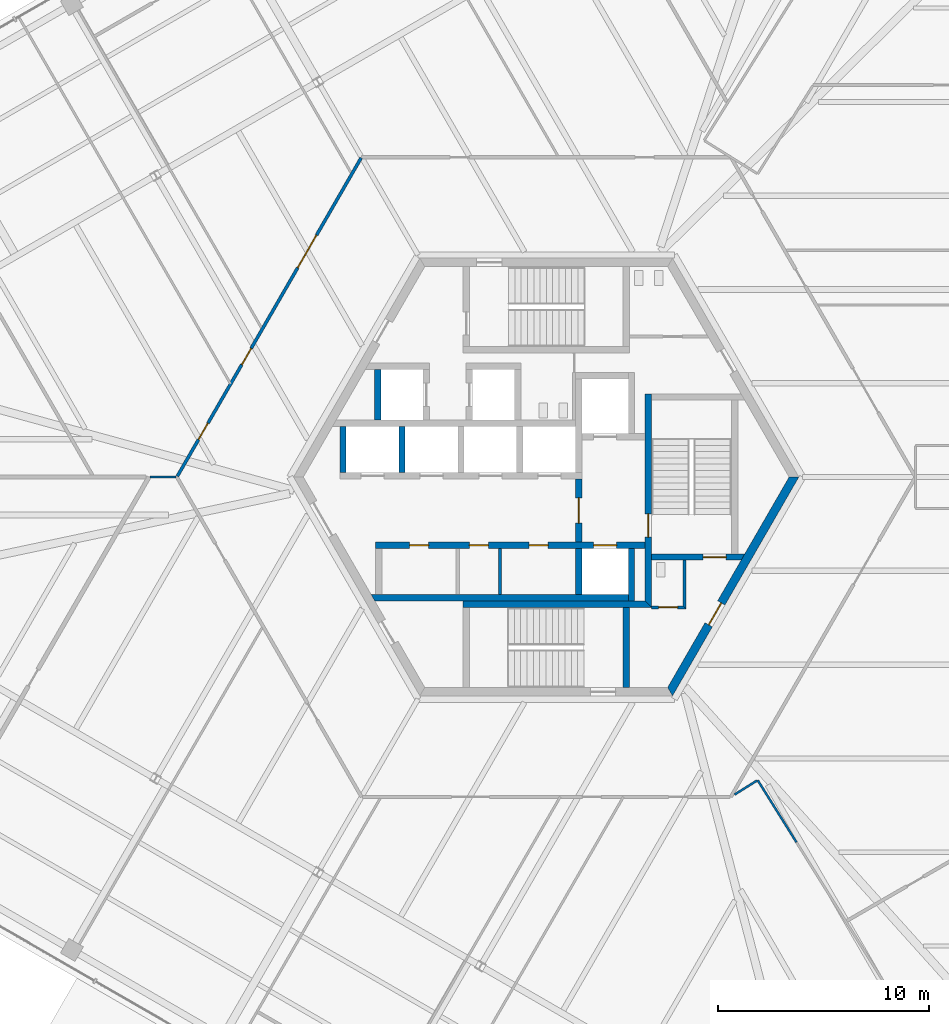
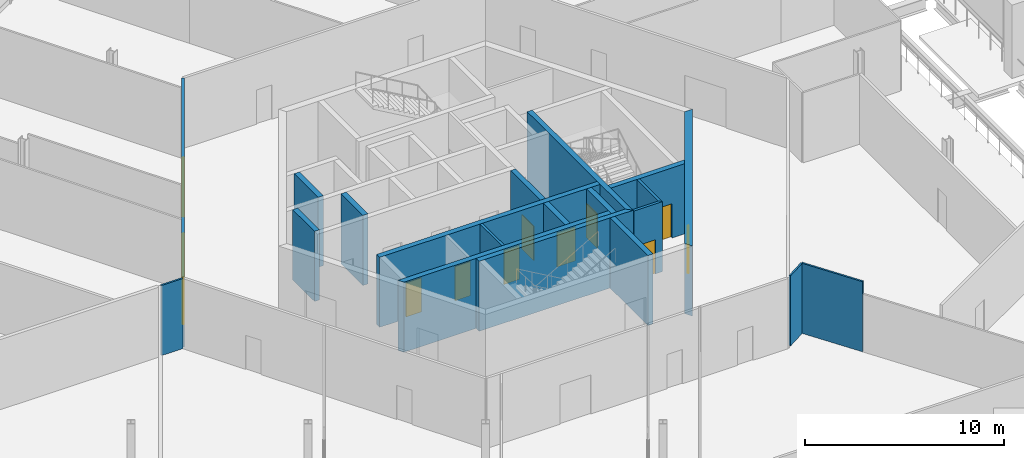
# One storey, part 20 of 27: 20 walls, 12 doors, 12 openings.
"""IFC4 building model written with IfcOpenShell, lengths in metres."""

from ifc_helpers import new_model, si_unit, direction, frame, frame_2d, origin, place, context, subcontext, project, spatial, polyline, rectangle, outline, extrude, source, transform, mapped, material, layer, layer_set, type_object, element, fill, save


model = new_model("IFC4")

# Units and contexts
model_context = context("Model", 3, precision=1e-05, world=origin(), true_north=direction((0.0, 1.0)))
body_context = subcontext(model_context, "Body", "Model", "MODEL_VIEW")
ifc_project = project(units=[si_unit("LENGTHUNIT", "METRE"), si_unit("AREAUNIT", "SQUARE_METRE"), si_unit("VOLUMEUNIT", "CUBIC_METRE"), si_unit("PLANEANGLEUNIT", "RADIAN"), si_unit("MASSUNIT", "GRAM", prefix="KILO")], contexts=[model_context])

# Site, building, storey
site_placement = place(None, origin())
site = spatial("IfcSite", under=ifc_project, at=site_placement, CompositionType="ELEMENT")
building_placement = place(site_placement, origin())
building = spatial("IfcBuilding", under=site, at=building_placement, Name="Triune Harvest Tower", CompositionType="ELEMENT")
storey_placement = place(building_placement, frame((0.0, 0.0, 7.0)))
storey = spatial("IfcBuildingStorey", under=building, at=storey_placement, Name="L01", CompositionType="ELEMENT", Elevation=7.0)

# Wall, openings, doors
ifc_material_1 = material(Name="Gypsum board on steel studs", Category="steel")
ifc_layer_1 = layer(ifc_material_1, 0.14990234375)
ifc_layer_set_1 = layer_set([ifc_layer_1], Name="Gypsum board on steel studs")
wall_type_1 = type_object("IfcWallType", Name="Fire Partition 150 mm", PredefinedType="PARTITIONING", material=ifc_layer_set_1)
wall_1_placement = place(storey_placement, frame((-17.517578125, 0.043701171875, 0.0), z_axis=(0.0, 0.0, 1.0), x_axis=(0.500011872673, 0.866018548985, 0.0)))
wall_1 = element("IfcWall", 1, at=wall_1_placement, inside=storey, type_object=wall_type_1, Name="Partition L01 059", PredefinedType="PARTITIONING", context=body_context, shape_type="SweptSolid", body=[
    extrude(rectangle(XDim=17.45166015625, YDim=0.14990234375, at=frame_2d((8.725830078125, 0.0))), origin(), (0.0, 0.0, 1.0), 4.300048828125),
])
opening_1_placement = place(wall_1_placement, frame((11.41650390625, 0.0, 0.0)))
opening_1 = element("IfcOpeningElement", 2, at=opening_1_placement, cuts=wall_1, Name="Opening L01-013", PredefinedType="OPENING", context=body_context, shape_type="SweptSolid", body=[
    extrude(rectangle(XDim=1.800048828125, YDim=2.39990234375, at=frame_2d((0.89990234375, 1.199951171875))), frame((0.0, 0.0849609375, 0.0), z_axis=(0.0, -1.0, 0.0), x_axis=(1.0, 0.0, 0.0)), (0.0, 0.0, 1.0), 0.169921875),
])
opening_2_placement = place(wall_1_placement, frame((2.00634765625, 0.0, 0.0)))
opening_2 = element("IfcOpeningElement", 3, at=opening_2_placement, cuts=wall_1, Name="Opening L01-023", PredefinedType="OPENING", context=body_context, shape_type="SweptSolid", body=[
    extrude(rectangle(XDim=0.89990234375, YDim=2.10009765625, at=frame_2d((0.449951171875, 1.050048828125))), frame((0.0, 0.0849609375, 0.0), z_axis=(0.0, -1.0, 0.0), x_axis=(1.0, 0.0, 0.0)), (0.0, 0.0, 1.0), 0.169921875),
])
opening_3_placement = place(wall_1_placement, frame((6.1083984375, 0.0, 0.0)))
opening_3 = element("IfcOpeningElement", 4, at=opening_3_placement, cuts=wall_1, Name="Opening L01-024", PredefinedType="OPENING", context=body_context, shape_type="SweptSolid", body=[
    extrude(rectangle(XDim=0.89990234375, YDim=2.10009765625, at=frame_2d((0.449951171875, 1.050048828125))), frame((0.0, 0.0849609375, 0.0), z_axis=(0.0, -1.0, 0.0), x_axis=(1.0, 0.0, 0.0)), (0.0, 0.0, 1.0), 0.169921875),
])
ifc_material_2 = material(Name="Timber and steel door set", Category="steel")
door_type_1 = type_object("IfcDoorType", Name="Double leaf door FD30 1800 x 2400", OperationType="DOUBLE_DOOR_SINGLE_SWING", PredefinedType="DOOR", material=ifc_material_2)
door_1_placement = place(opening_1_placement, origin())
door_1 = element("IfcDoor", 5, at=door_1_placement, inside=storey, type_object=door_type_1, Name="Door L01-013 Market Hall 01.14", OperationType="DOUBLE_DOOR_SINGLE_SWING", OverallHeight=2.39990234375, OverallWidth=1.800048828125, PredefinedType="DOOR", context=body_context, shape_type="SweptSolid", body=[
    extrude(rectangle(XDim=1.800048828125, YDim=2.39990234375, at=frame_2d((0.89990234375, 1.199951171875))), frame((0.0, 0.02490234375, 0.0), z_axis=(0.0, -1.0, 0.0), x_axis=(1.0, 0.0, 0.0)), (0.0, 0.0, 1.0), 0.050048828125),
])
fill(opening_1, door_1)
ifc_material_3 = material(Name="Timber and steel door set", Category="steel")
door_type_2 = type_object("IfcDoorType", Name="Single leaf door FD30 left hand 900 x 2100", OperationType="SINGLE_SWING_LEFT", PredefinedType="DOOR", material=ifc_material_3)
door_2_placement = place(opening_2_placement, origin())
door_2 = element("IfcDoor", 6, at=door_2_placement, inside=storey, type_object=door_type_2, Name="Door L01-023 Dry Store Room 01.24", OperationType="SINGLE_SWING_LEFT", OverallHeight=2.10009765625, OverallWidth=0.89990234375, PredefinedType="DOOR", context=body_context, shape_type="SweptSolid", body=[
    extrude(rectangle(XDim=0.89990234375, YDim=2.10009765625, at=frame_2d((0.449951171875, 1.050048828125))), frame((0.0, 0.02490234375, 0.0), z_axis=(0.0, -1.0, 0.0), x_axis=(1.0, 0.0, 0.0)), (0.0, 0.0, 1.0), 0.050048828125),
])
fill(opening_2, door_2)
door_3_placement = place(opening_3_placement, origin())
door_3 = element("IfcDoor", 7, at=door_3_placement, inside=storey, type_object=door_type_2, Name="Door L01-024 Dry Store Room 01.25", OperationType="SINGLE_SWING_LEFT", OverallHeight=2.10009765625, OverallWidth=0.89990234375, PredefinedType="DOOR", context=body_context, shape_type="SweptSolid", body=[
    extrude(rectangle(XDim=0.89990234375, YDim=2.10009765625, at=frame_2d((0.449951171875, 1.050048828125))), frame((0.0, 0.02490234375, 0.0), z_axis=(0.0, -1.0, 0.0), x_axis=(1.0, 0.0, 0.0)), (0.0, 0.0, 1.0), 0.050048828125),
])
fill(opening_3, door_3)

# Walls
ifc_material_4 = material(Name="Gypsum board on steel studs", Category="steel")
ifc_layer_2 = layer(ifc_material_4, 0.10009765625)
ifc_layer_set_2 = layer_set([ifc_layer_2], Name="Gypsum board on steel studs")
wall_type_2 = type_object("IfcWallType", Name="Partition 100 mm", PredefinedType="PARTITIONING", material=ifc_layer_set_2)
wall_2_placement = place(storey_placement, frame((10.04345703125, -14.397705078125, 0.0), z_axis=(0.0, 0.0, 1.0), x_axis=(0.529778164717, -0.8481362486, 0.0)))
element("IfcWall", 8, at=wall_2_placement, inside=storey, type_object=wall_type_2, Name="Partition L01 015", PredefinedType="PARTITIONING", context=body_context, shape_type="SweptSolid", body=[
    extrude(rectangle(XDim=3.479248046875, YDim=0.10009765625, at=frame_2d((1.73974609375, 0.0))), origin(), (0.0, 0.0, 1.0), 4.300048828125),
])
wall_3_placement = place(storey_placement, frame((-18.827880859375, 0.0, 0.0), z_axis=(0.0, 0.0, 1.0), x_axis=(1.0, 0.0, 0.0)))
element("IfcWall", 9, at=wall_3_placement, inside=storey, type_object=wall_type_2, Name="Partition L01 034", PredefinedType="PARTITIONING", context=body_context, shape_type="SweptSolid", body=[
    extrude(rectangle(XDim=1.245361328125, YDim=0.10009765625, at=frame_2d((0.62255859375, 0.0))), origin(), (0.0, 0.0, 1.0), 4.300048828125),
])
wall_4_placement = place(storey_placement, frame((8.949462890625, -15.0810546875, 0.0), z_axis=(0.0, 0.0, 1.0), x_axis=(0.848139792609, 0.529772490974, 0.0)))
element("IfcWall", 10, at=wall_4_placement, inside=storey, type_object=wall_type_2, Name="Partition L01 049", PredefinedType="PARTITIONING", context=body_context, shape_type="SweptSolid", body=[
    extrude(rectangle(XDim=1.260009765625, YDim=0.10009765625, at=frame_2d((0.6298828125, 0.0))), origin(), (0.0, 0.0, 1.0), 4.300048828125),
])

# Wall, opening, door
ifc_material_5 = material(Name="Concrete 70 MPa", Category="concrete")
ifc_layer_3 = layer(ifc_material_5, 0.39990234375)
ifc_layer_set_3 = layer_set([ifc_layer_3], Name="Concrete 70 MPa")
wall_type_3 = type_object("IfcWallType", Name="Core wall 400", PredefinedType="SHEAR", material=ifc_layer_set_3)
shared_shape_1 = source(origin(), body_context, "Body", "SweptSolid", [
    extrude(outline(polyline([(-0.115478515625, -0.199951171875), (11.884521484375, -0.199951171875), (11.653564453125, 0.199951171875), (0.115478515625, 0.199951171875), (-0.115478515625, -0.199951171875)])), origin(), (0.0, 0.0, 1.0), 4.300048828125),
])
wall_5_placement = place(storey_placement, frame((5.884521484375, -10.1923828125, 0.0), z_axis=(0.0, 0.0, 1.0), x_axis=(0.499996592174, 0.866027371285, 0.0)))
wall_5 = element("IfcWall", 11, at=wall_5_placement, inside=storey, type_object=wall_type_3, Name="Hexagon 5 wall", PredefinedType="SHEAR", context=body_context, shape_type="MappedRepresentation", body=[
    mapped(shared_shape_1, transform((0.0, 0.0, 0.0), scale=1.0)),
])
opening_4_placement = place(wall_5_placement, frame((3.66455078125, 0.0, 0.0)))
opening_4 = element("IfcOpeningElement", 12, at=opening_4_placement, cuts=wall_5, Name="Opening CD-DP", PredefinedType="OPENING", context=body_context, shape_type="SweptSolid", body=[
    extrude(rectangle(XDim=1.199951171875, YDim=2.10009765625, at=frame_2d((0.60009765625, 1.050048828125))), frame((0.0, 0.2099609375, 0.0), z_axis=(0.0, -1.0, 0.0), x_axis=(1.0, 0.0, 0.0)), (0.0, 0.0, 1.0), 0.419921875),
])
ifc_material_6 = material(Name="Steel S235", Category="steel")
door_type_3 = type_object("IfcDoorType", Name="Stair door 1200 FD120", OperationType="SINGLE_SWING_LEFT", PredefinedType="DOOR", material=ifc_material_6)
door_4_placement = place(opening_4_placement, frame((1.199951171875, 0.0, 0.0), z_axis=(0.0, 0.0, 1.0), x_axis=(-1.0, 0.0, 0.0)))
door_4 = element("IfcDoor", 13, at=door_4_placement, inside=storey, type_object=door_type_3, Name="Door CD-DP", OperationType="SINGLE_SWING_RIGHT", OverallHeight=2.10009765625, OverallWidth=1.199951171875, PredefinedType="DOOR", context=body_context, shape_type="SweptSolid", body=[
    extrude(rectangle(XDim=1.199951171875, YDim=2.10009765625, at=frame_2d((0.60009765625, 1.050048828125))), frame((0.0, 0.02490234375, 0.0), z_axis=(0.0, -1.0, 0.0), x_axis=(1.0, 0.0, 0.0)), (0.0, 0.0, 1.0), 0.050048828125),
])
fill(opening_4, door_4)

# Wall
ifc_material_7 = material(Name="Concrete 70 MPa", Category="concrete")
ifc_layer_4 = layer(ifc_material_7, 0.300048828125)
ifc_layer_set_4 = layer_set([ifc_layer_4], Name="Concrete 70 MPa")
wall_type_4 = type_object("IfcWallType", Name="Core wall 300", PredefinedType="SHEAR", material=ifc_layer_set_4)
shared_shape_2 = source(origin(), body_context, "Body", "SweptSolid", [
    extrude(rectangle(XDim=2.5, YDim=0.300048828125, at=frame_2d((1.25, 0.0))), origin(), (0.0, 0.0, 1.0), 4.300048828125),
])
wall_6_placement = place(storey_placement, frame((4.050048828125, -5.889892578125, 0.0), z_axis=(0.0, 0.0, 1.0), x_axis=(0.0, 1.0, 0.0)))
element("IfcWall", 14, at=wall_6_placement, inside=storey, type_object=wall_type_4, Name="Ff2 east wall", PredefinedType="SHEAR", context=body_context, shape_type="MappedRepresentation", body=[
    mapped(shared_shape_2, transform((0.0, 0.0, 0.0), scale=1.0)),
])

# Wall, opening, door
shared_shape_3 = source(origin(), body_context, "Body", "SweptSolid", [
    extrude(rectangle(XDim=3.0, YDim=0.300048828125, at=frame_2d((1.5, 0.0))), origin(), (0.0, 0.0, 1.0), 4.300048828125),
])
wall_7_placement = place(storey_placement, frame((1.550048828125, -3.090087890625, 0.0), z_axis=(0.0, 0.0, 1.0), x_axis=(0.0, 1.0, 0.0)))
wall_7 = element("IfcWall", 15, at=wall_7_placement, inside=storey, type_object=wall_type_4, Name="Ff lobby west wall", PredefinedType="SHEAR", context=body_context, shape_type="MappedRepresentation", body=[
    mapped(shared_shape_3, transform((0.0, 0.0, 0.0), scale=1.0)),
])
opening_5_placement = place(wall_7_placement, frame((0.89990234375, 0.0, 0.0)))
opening_5 = element("IfcOpeningElement", 16, at=opening_5_placement, cuts=wall_7, Name="Opening CD-FL", PredefinedType="OPENING", context=body_context, shape_type="SweptSolid", body=[
    extrude(rectangle(XDim=1.199951171875, YDim=2.10009765625, at=frame_2d((0.60009765625, 1.050048828125))), frame((0.0, 0.16015625, 0.0), z_axis=(0.0, -1.0, 0.0), x_axis=(1.0, 0.0, 0.0)), (0.0, 0.0, 1.0), 0.320068359375),
])
ifc_material_8 = material(Name="Steel S235", Category="steel")
door_type_4 = type_object("IfcDoorType", Name="Firefighters' lobby door 1200 FD120", OperationType="SINGLE_SWING_LEFT", PredefinedType="DOOR", material=ifc_material_8)
door_5_placement = place(opening_5_placement, frame((1.199951171875, 0.0, 0.0), z_axis=(0.0, 0.0, 1.0), x_axis=(-1.0, 0.0, 0.0)))
door_5 = element("IfcDoor", 17, at=door_5_placement, inside=storey, type_object=door_type_4, Name="Door CD-FL", OperationType="SINGLE_SWING_RIGHT", OverallHeight=2.10009765625, OverallWidth=1.199951171875, PredefinedType="DOOR", context=body_context, shape_type="SweptSolid", body=[
    extrude(rectangle(XDim=1.199951171875, YDim=2.10009765625, at=frame_2d((0.60009765625, 1.050048828125))), frame((0.0, 0.02490234375, 0.0), z_axis=(0.0, -1.0, 0.0), x_axis=(1.0, 0.0, 0.0)), (0.0, 0.0, 1.0), 0.050048828125),
])
fill(opening_5, door_5)

# Wall, openings, doors
shared_shape_4 = source(origin(), body_context, "Body", "SweptSolid", [
    extrude(rectangle(XDim=12.800048828125, YDim=0.300048828125, at=frame_2d((6.39990234375, 0.0))), origin(), (0.0, 0.0, 1.0), 4.300048828125),
])
wall_8_placement = place(storey_placement, frame((-8.10009765625, -3.239990234375, 0.0), z_axis=(0.0, 0.0, 1.0), x_axis=(1.0, 0.0, 0.0)))
wall_8 = element("IfcWall", 18, at=wall_8_placement, inside=storey, type_object=wall_type_4, Name="South front wall", PredefinedType="SHEAR", context=body_context, shape_type="MappedRepresentation", body=[
    mapped(shared_shape_4, transform((0.0, 0.0, 0.0), scale=1.0)),
])
opening_6_placement = place(wall_8_placement, frame((1.612548828125, 0.0, 0.0)))
opening_6 = element("IfcOpeningElement", 19, at=opening_6_placement, cuts=wall_8, Name="Opening CD-RS1", PredefinedType="OPENING", context=body_context, shape_type="SweptSolid", body=[
    extrude(rectangle(XDim=0.89990234375, YDim=2.10009765625, at=frame_2d((0.449951171875, 1.050048828125))), frame((0.0, 0.16015625, 0.0), z_axis=(0.0, -1.0, 0.0), x_axis=(1.0, 0.0, 0.0)), (0.0, 0.0, 1.0), 0.320068359375),
])
opening_7_placement = place(wall_8_placement, frame((4.449951171875, 0.0, 0.0)))
opening_7 = element("IfcOpeningElement", 20, at=opening_7_placement, cuts=wall_8, Name="Opening CD-RS2", PredefinedType="OPENING", context=body_context, shape_type="SweptSolid", body=[
    extrude(rectangle(XDim=0.89990234375, YDim=2.10009765625, at=frame_2d((0.449951171875, 1.050048828125))), frame((0.0, 0.16015625, 0.0), z_axis=(0.0, -1.0, 0.0), x_axis=(1.0, 0.0, 0.0)), (0.0, 0.0, 1.0), 0.320068359375),
])
opening_8_placement = place(wall_8_placement, frame((7.28759765625, 0.0, 0.0)))
opening_8 = element("IfcOpeningElement", 21, at=opening_8_placement, cuts=wall_8, Name="Opening CD-RS3", PredefinedType="OPENING", context=body_context, shape_type="SweptSolid", body=[
    extrude(rectangle(XDim=0.89990234375, YDim=2.10009765625, at=frame_2d((0.449951171875, 1.050048828125))), frame((0.0, 0.16015625, 0.0), z_axis=(0.0, -1.0, 0.0), x_axis=(1.0, 0.0, 0.0)), (0.0, 0.0, 1.0), 0.320068359375),
])
opening_9_placement = place(wall_8_placement, frame((10.35009765625, 0.0, 0.0)))
opening_9 = element("IfcOpeningElement", 22, at=opening_9_placement, cuts=wall_8, Name="Opening LD-FF2-01", PredefinedType="OPENING", context=body_context, shape_type="SweptSolid", body=[
    extrude(rectangle(XDim=1.10009765625, YDim=2.10009765625, at=frame_2d((0.550048828125, 1.050048828125))), frame((0.0, 0.16015625, 0.0), z_axis=(0.0, -1.0, 0.0), x_axis=(1.0, 0.0, 0.0)), (0.0, 0.0, 1.0), 0.320068359375),
])
ifc_material_9 = material(Name="Stainless steel AISI 304", Category="steel")
door_type_5 = type_object("IfcDoorType", Name="Landing door 1100 x 2100", OperationType="DOUBLE_DOOR_SLIDING", PredefinedType="DOOR", material=ifc_material_9)
door_6_placement = place(opening_9_placement, origin())
door_6 = element("IfcDoor", 23, at=door_6_placement, inside=storey, type_object=door_type_5, Name="Door LD-FF2-01", OperationType="DOUBLE_DOOR_SLIDING", OverallHeight=2.10009765625, OverallWidth=1.10009765625, PredefinedType="DOOR", context=body_context, shape_type="SweptSolid", body=[
    extrude(rectangle(XDim=1.10009765625, YDim=2.10009765625, at=frame_2d((0.550048828125, 1.050048828125))), frame((0.0, 0.02490234375, 0.0), z_axis=(0.0, -1.0, 0.0), x_axis=(1.0, 0.0, 0.0)), (0.0, 0.0, 1.0), 0.050048828125),
])
fill(opening_9, door_6)
ifc_material_10 = material(Name="Steel S235", Category="steel")
door_type_6 = type_object("IfcDoorType", Name="Riser door 900 FD120", OperationType="SINGLE_SWING_LEFT", PredefinedType="DOOR", material=ifc_material_10)
door_7_placement = place(opening_6_placement, origin())
door_7 = element("IfcDoor", 24, at=door_7_placement, inside=storey, type_object=door_type_6, Name="Door CD-RS1", OperationType="SINGLE_SWING_LEFT", OverallHeight=2.10009765625, OverallWidth=0.89990234375, PredefinedType="DOOR", context=body_context, shape_type="SweptSolid", body=[
    extrude(rectangle(XDim=0.89990234375, YDim=2.10009765625, at=frame_2d((0.449951171875, 1.050048828125))), frame((0.0, 0.02490234375, 0.0), z_axis=(0.0, -1.0, 0.0), x_axis=(1.0, 0.0, 0.0)), (0.0, 0.0, 1.0), 0.050048828125),
])
fill(opening_6, door_7)
door_8_placement = place(opening_7_placement, origin())
door_8 = element("IfcDoor", 25, at=door_8_placement, inside=storey, type_object=door_type_6, Name="Door CD-RS2", OperationType="SINGLE_SWING_LEFT", OverallHeight=2.10009765625, OverallWidth=0.89990234375, PredefinedType="DOOR", context=body_context, shape_type="SweptSolid", body=[
    extrude(rectangle(XDim=0.89990234375, YDim=2.10009765625, at=frame_2d((0.449951171875, 1.050048828125))), frame((0.0, 0.02490234375, 0.0), z_axis=(0.0, -1.0, 0.0), x_axis=(1.0, 0.0, 0.0)), (0.0, 0.0, 1.0), 0.050048828125),
])
fill(opening_7, door_8)
door_9_placement = place(opening_8_placement, origin())
door_9 = element("IfcDoor", 26, at=door_9_placement, inside=storey, type_object=door_type_6, Name="Door CD-RS3", OperationType="SINGLE_SWING_LEFT", OverallHeight=2.10009765625, OverallWidth=0.89990234375, PredefinedType="DOOR", context=body_context, shape_type="SweptSolid", body=[
    extrude(rectangle(XDim=0.89990234375, YDim=2.10009765625, at=frame_2d((0.449951171875, 1.050048828125))), frame((0.0, 0.02490234375, 0.0), z_axis=(0.0, -1.0, 0.0), x_axis=(1.0, 0.0, 0.0)), (0.0, 0.0, 1.0), 0.050048828125),
])
fill(opening_8, door_9)

# Walls
shared_shape_5 = source(origin(), body_context, "Body", "SweptSolid", [
    extrude(outline(polyline([(12.0, -0.14990234375), (-0.039794921875, -0.14990234375), (-0.212890625, 0.14990234375), (12.0, 0.14990234375), (12.0, -0.14990234375)])), origin(), (0.0, 0.0, 1.0), 4.300048828125),
])
wall_9_placement = place(storey_placement, frame((-8.10009765625, -5.739990234375, 0.0), z_axis=(0.0, 0.0, 1.0), x_axis=(1.0, 0.0, 0.0)))
element("IfcWall", 27, at=wall_9_placement, inside=storey, type_object=wall_type_4, Name="South back wall", PredefinedType="SHEAR", context=body_context, shape_type="MappedRepresentation", body=[
    mapped(shared_shape_5, transform((0.0, 0.0, 0.0), scale=1.0)),
])
shared_shape_6 = source(origin(), body_context, "Body", "SweptSolid", [
    extrude(rectangle(XDim=2.2001953125, YDim=0.300048828125, at=frame_2d((1.10009765625, 0.0))), origin(), (0.0, 0.0, 1.0), 4.300048828125),
])
wall_10_placement = place(storey_placement, frame((1.550048828125, -5.590087890625, 0.0), z_axis=(0.0, 0.0, 1.0), x_axis=(0.0, 1.0, 0.0)))
element("IfcWall", 28, at=wall_10_placement, inside=storey, type_object=wall_type_4, Name="Ff2 west wall", PredefinedType="SHEAR", context=body_context, shape_type="MappedRepresentation", body=[
    mapped(shared_shape_6, transform((0.0, 0.0, 0.0), scale=1.0)),
])
shared_shape_7 = source(origin(), body_context, "Body", "SweptSolid", [
    extrude(rectangle(XDim=2.199951171875, YDim=0.300048828125, at=frame_2d((1.10009765625, 0.0))), origin(), (0.0, 0.0, 1.0), 4.300048828125),
])
for number, where, z_axis, x_axis, name in (
    (29, (-9.64990234375, 0.2099609375, 0.0), (0.0, 0.0, 1.0), (0.0, 1.0, 0.0), "North end west wall"),
    (30, (-6.85009765625, 0.2099609375, 0.0), (0.0, 0.0, 1.0), (0.0, 1.0, 0.0), "North cross 1 wall"),
):
    element("IfcWall", number, at=place(storey_placement, frame(where, z_axis=z_axis, x_axis=x_axis)), inside=storey, type_object=wall_type_4, Name=name, PredefinedType="SHEAR", context=body_context, shape_type="MappedRepresentation", body=[
        mapped(shared_shape_7, transform((0.0, 0.0, 0.0), scale=1.0)),
    ])

# Wall, opening, door
shared_shape_8 = source(origin(), body_context, "Body", "SweptSolid", [
    extrude(outline(polyline([(-0.14990234375, -0.14990234375), (9.989990234375, -0.14990234375), (9.989990234375, 0.14990234375), (0.14990234375, 0.14990234375), (-0.14990234375, -0.14990234375)])), origin(), (0.0, 0.0, 1.0), 4.300048828125),
])
wall_11_placement = place(storey_placement, frame((4.85009765625, -6.0400390625, 0.0), z_axis=(0.0, 0.0, 1.0), x_axis=(0.0, 1.0, 0.0)))
wall_11 = element("IfcWall", 31, at=wall_11_placement, inside=storey, type_object=wall_type_4, Name="Stair e west wall", PredefinedType="SHEAR", context=body_context, shape_type="MappedRepresentation", body=[
    mapped(shared_shape_8, transform((0.0, 0.0, 0.0), scale=1.0)),
])
opening_10_placement = place(wall_11_placement, frame((3.18994140625, 0.0, 0.0)))
opening_10 = element("IfcOpeningElement", 32, at=opening_10_placement, cuts=wall_11, Name="Opening CD-S3L", PredefinedType="OPENING", context=body_context, shape_type="SweptSolid", body=[
    extrude(rectangle(XDim=1.10009765625, YDim=2.10009765625, at=frame_2d((0.550048828125, 1.050048828125))), frame((0.0, 0.16015625, 0.0), z_axis=(0.0, -1.0, 0.0), x_axis=(1.0, 0.0, 0.0)), (0.0, 0.0, 1.0), 0.320068359375),
])
ifc_material_11 = material(Name="Steel S235", Category="steel")
door_type_7 = type_object("IfcDoorType", Name="Stair door 1100 FD120", OperationType="SINGLE_SWING_LEFT", PredefinedType="DOOR", material=ifc_material_11)
door_10_placement = place(opening_10_placement, frame((1.10009765625, 0.0, 0.0), z_axis=(0.0, 0.0, 1.0), x_axis=(-1.0, 0.0, 0.0)))
door_10 = element("IfcDoor", 33, at=door_10_placement, inside=storey, type_object=door_type_7, Name="Door CD-S3L", OperationType="SINGLE_SWING_RIGHT", OverallHeight=2.10009765625, OverallWidth=1.10009765625, PredefinedType="DOOR", context=body_context, shape_type="SweptSolid", body=[
    extrude(rectangle(XDim=1.10009765625, YDim=2.10009765625, at=frame_2d((0.550048828125, 1.050048828125))), frame((0.0, 0.02490234375, 0.0), z_axis=(0.0, -1.0, 0.0), x_axis=(1.0, 0.0, 0.0)), (0.0, 0.0, 1.0), 0.050048828125),
])
fill(opening_10, door_10)

shared_shape_9 = source(origin(), body_context, "Body", "SweptSolid", [
    extrude(outline(polyline([(0.0, -0.14990234375), (0.0, 0.14990234375), (4.43310546875, 0.14990234375), (4.260009765625, -0.14990234375), (0.0, -0.14990234375)])), origin(), (0.0, 0.0, 1.0), 4.300048828125),
])
wall_12_placement = place(storey_placement, frame((5.0, -3.800048828125, 0.0), z_axis=(0.0, 0.0, 1.0), x_axis=(1.0, 0.0, 0.0)))
wall_12 = element("IfcWall", 34, at=wall_12_placement, inside=storey, type_object=wall_type_4, Name="Stair e south wall", PredefinedType="SHEAR", context=body_context, shape_type="MappedRepresentation", body=[
    mapped(shared_shape_9, transform((0.0, 0.0, 0.0), scale=1.0)),
])
opening_11_placement = place(wall_12_placement, frame((2.449951171875, 0.0, 0.0)))
opening_11 = element("IfcOpeningElement", 35, at=opening_11_placement, cuts=wall_12, Name="Opening CD-S3D", PredefinedType="OPENING", context=body_context, shape_type="SweptSolid", body=[
    extrude(rectangle(XDim=1.10009765625, YDim=2.10009765625, at=frame_2d((0.550048828125, 1.050048828125))), frame((0.0, 0.16015625, 0.0), z_axis=(0.0, -1.0, 0.0), x_axis=(1.0, 0.0, 0.0)), (0.0, 0.0, 1.0), 0.320068359375),
])
door_11_placement = place(opening_11_placement, frame((1.10009765625, 0.0, 0.0), z_axis=(0.0, 0.0, 1.0), x_axis=(-1.0, 0.0, 0.0)))
door_11 = element("IfcDoor", 36, at=door_11_placement, inside=storey, type_object=door_type_7, Name="Door CD-S3D", OperationType="SINGLE_SWING_RIGHT", OverallHeight=2.10009765625, OverallWidth=1.10009765625, PredefinedType="DOOR", context=body_context, shape_type="SweptSolid", body=[
    extrude(rectangle(XDim=1.10009765625, YDim=2.10009765625, at=frame_2d((0.550048828125, 1.050048828125))), frame((0.0, 0.02490234375, 0.0), z_axis=(0.0, -1.0, 0.0), x_axis=(1.0, 0.0, 0.0)), (0.0, 0.0, 1.0), 0.050048828125),
])
fill(opening_11, door_11)

# Walls
shared_shape_10 = source(origin(), body_context, "Body", "SweptSolid", [
    extrude(outline(polyline([(0.0, -0.14990234375), (8.949951171875, -0.14990234375), (8.64990234375, 0.14990234375), (0.0, 0.14990234375), (0.0, -0.14990234375)])), origin(), (0.0, 0.0, 1.0), 4.300048828125),
])
wall_13_placement = place(storey_placement, frame((-3.949951171875, -6.0400390625, 0.0), z_axis=(0.0, 0.0, 1.0), x_axis=(1.0, 0.0, 0.0)))
element("IfcWall", 37, at=wall_13_placement, inside=storey, type_object=wall_type_4, Name="Stair s north wall", PredefinedType="SHEAR", context=body_context, shape_type="MappedRepresentation", body=[
    mapped(shared_shape_10, transform((0.0, 0.0, 0.0), scale=1.0)),
])
shared_shape_11 = source(origin(), body_context, "Body", "SweptSolid", [
    extrude(outline(polyline([(3.800048828125, -0.14990234375), (-0.00439453125, -0.14990234375), (-0.00439453125, 0.14990234375), (3.800048828125, 0.14990234375), (3.800048828125, -0.14990234375)])), origin(), (0.0, 0.0, 1.0), 4.300048828125),
])
wall_14_placement = place(storey_placement, frame((3.800048828125, -9.989990234375, 0.0), z_axis=(0.0, 0.0, 1.0), x_axis=(0.0, 1.0, 0.0)))
element("IfcWall", 38, at=wall_14_placement, inside=storey, type_object=wall_type_4, Name="Stair s east wall", PredefinedType="SHEAR", context=body_context, shape_type="MappedRepresentation", body=[
    mapped(shared_shape_11, transform((0.0, 0.0, 0.0), scale=1.0)),
])
shared_shape_12 = source(origin(), body_context, "Body", "SweptSolid", [
    extrude(rectangle(XDim=2.400146484375, YDim=0.300048828125, at=frame_2d((1.2001953125, 0.0))), origin(), (0.0, 0.0, 1.0), 4.300048828125),
])
wall_15_placement = place(storey_placement, frame((-8.0, 2.7099609375, 0.0), z_axis=(0.0, 0.0, 1.0), x_axis=(0.0, 1.0, 0.0)))
element("IfcWall", 39, at=wall_15_placement, inside=storey, type_object=wall_type_4, Name="Sv1 west wall", PredefinedType="SHEAR", context=body_context, shape_type="MappedRepresentation", body=[
    mapped(shared_shape_12, transform((0.0, 0.0, 0.0), scale=1.0)),
])

# Wall, opening, door
ifc_material_12 = material(Name="Concrete masonry unit", Category="masonry")
ifc_layer_5 = layer(ifc_material_12, 0.14990234375)
ifc_layer_set_5 = layer_set([ifc_layer_5], Name="Concrete masonry unit")
wall_type_5 = type_object("IfcWallType", Name="Block partition 150 unrated", PredefinedType="PARTITIONING", material=ifc_layer_set_5)
shared_shape_13 = source(origin(), body_context, "Body", "SweptSolid", [
    extrude(outline(polyline([(0.0, -0.074951171875), (1.64990234375, -0.074951171875), (1.5, 0.074951171875), (0.0, 0.074951171875), (0.0, -0.074951171875)])), origin(), (0.0, 0.0, 1.0), 4.300048828125),
])
wall_16_placement = place(storey_placement, frame((5.0, -6.18994140625, 0.0), z_axis=(0.0, 0.0, 1.0), x_axis=(1.0, 0.0, 0.0)))
wall_16 = element("IfcWall", 40, at=wall_16_placement, inside=storey, type_object=wall_type_5, Name="Wc acc south wall", PredefinedType="PARTITIONING", context=body_context, shape_type="MappedRepresentation", body=[
    mapped(shared_shape_13, transform((0.0, 0.0, 0.0), scale=1.0)),
])
opening_12_placement = place(wall_16_placement, frame((0.33740234375, 0.0, 0.0)))
opening_12 = element("IfcOpeningElement", 41, at=opening_12_placement, cuts=wall_16, Name="Opening CD-WA", PredefinedType="OPENING", context=body_context, shape_type="SweptSolid", body=[
    extrude(rectangle(XDim=0.89990234375, YDim=2.10009765625, at=frame_2d((0.449951171875, 1.050048828125))), frame((0.0, 0.0849609375, 0.0), z_axis=(0.0, -1.0, 0.0), x_axis=(1.0, 0.0, 0.0)), (0.0, 0.0, 1.0), 0.169921875),
])
ifc_material_13 = material(Name="Timber C24", Category="wood")
door_type_8 = type_object("IfcDoorType", Name="WC door 900", OperationType="SINGLE_SWING_LEFT", PredefinedType="DOOR", material=ifc_material_13)
door_12_placement = place(opening_12_placement, origin())
door_12 = element("IfcDoor", 42, at=door_12_placement, inside=storey, type_object=door_type_8, Name="Door CD-WA", OperationType="SINGLE_SWING_LEFT", OverallHeight=2.10009765625, OverallWidth=0.89990234375, PredefinedType="DOOR", context=body_context, shape_type="SweptSolid", body=[
    extrude(rectangle(XDim=0.89990234375, YDim=2.10009765625, at=frame_2d((0.449951171875, 1.050048828125))), frame((0.0, 0.02490234375, 0.0), z_axis=(0.0, -1.0, 0.0), x_axis=(1.0, 0.0, 0.0)), (0.0, 0.0, 1.0), 0.050048828125),
])
fill(opening_12, door_12)

# Walls
shared_shape_14 = source(origin(), body_context, "Body", "SweptSolid", [
    extrude(outline(polyline([(-0.074951171875, -0.074951171875), (2.239990234375, -0.074951171875), (2.239990234375, 0.074951171875), (0.074951171875, 0.074951171875), (-0.074951171875, -0.074951171875)])), origin(), (0.0, 0.0, 1.0), 4.300048828125),
])
wall_17_placement = place(storey_placement, frame((6.574951171875, -6.18994140625, 0.0), z_axis=(0.0, 0.0, 1.0), x_axis=(0.0, 1.0, 0.0)))
element("IfcWall", 43, at=wall_17_placement, inside=storey, type_object=wall_type_5, Name="Wc acc east wall", PredefinedType="PARTITIONING", context=body_context, shape_type="MappedRepresentation", body=[
    mapped(shared_shape_14, transform((0.0, 0.0, 0.0), scale=1.0)),
])
ifc_material_14 = material(Name="Concrete masonry unit", Category="masonry")
ifc_layer_6 = layer(ifc_material_14, 0.14990234375)
ifc_layer_set_6 = layer_set([ifc_layer_6], Name="Concrete masonry unit")
wall_type_6 = type_object("IfcWallType", Name="Block partition 150", PredefinedType="PARTITIONING", material=ifc_layer_set_6)
shared_shape_15 = source(origin(), body_context, "Body", "SweptSolid", [
    extrude(rectangle(XDim=2.2001953125, YDim=0.14990234375, at=frame_2d((1.10009765625, 0.0))), origin(), (0.0, 0.0, 1.0), 4.300048828125),
])
wall_18_placement = place(storey_placement, frame((-2.199951171875, -5.590087890625, 0.0), z_axis=(0.0, 0.0, 1.0), x_axis=(0.0, 1.0, 0.0)))
element("IfcWall", 44, at=wall_18_placement, inside=storey, type_object=wall_type_6, Name="Row s part 2 wall", PredefinedType="PARTITIONING", context=body_context, shape_type="MappedRepresentation", body=[
    mapped(shared_shape_15, transform((0.0, 0.0, 0.0), scale=1.0)),
])

save(model, "model.ifc")
